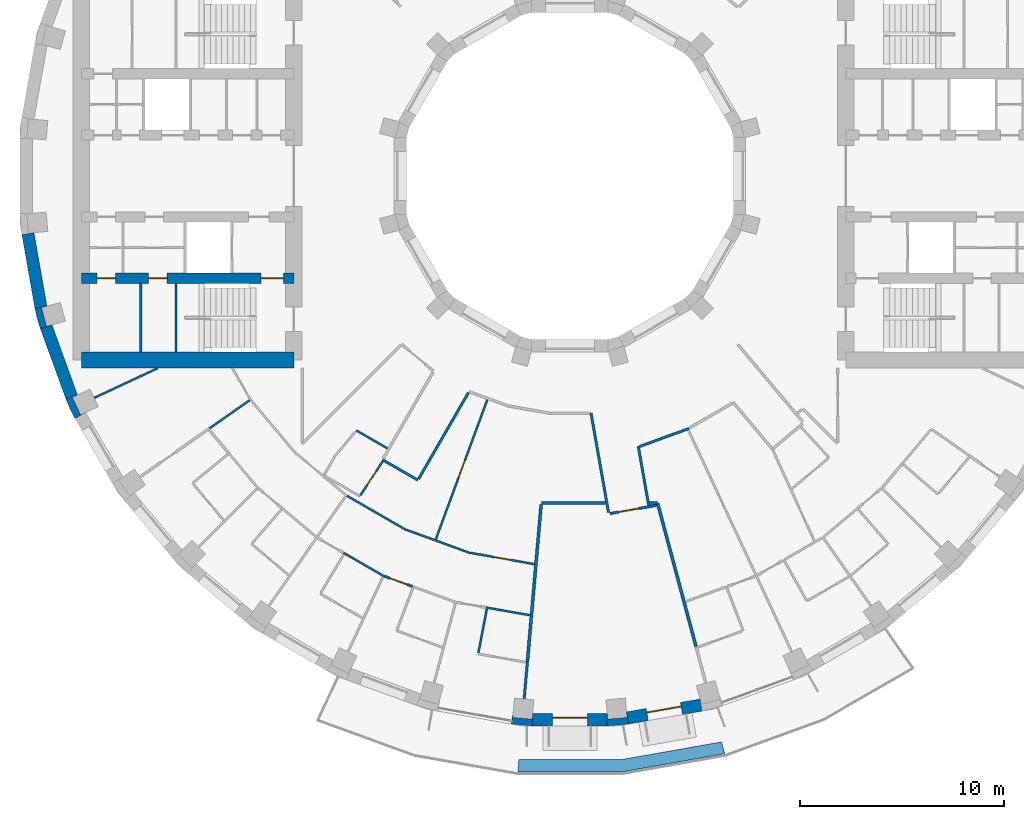
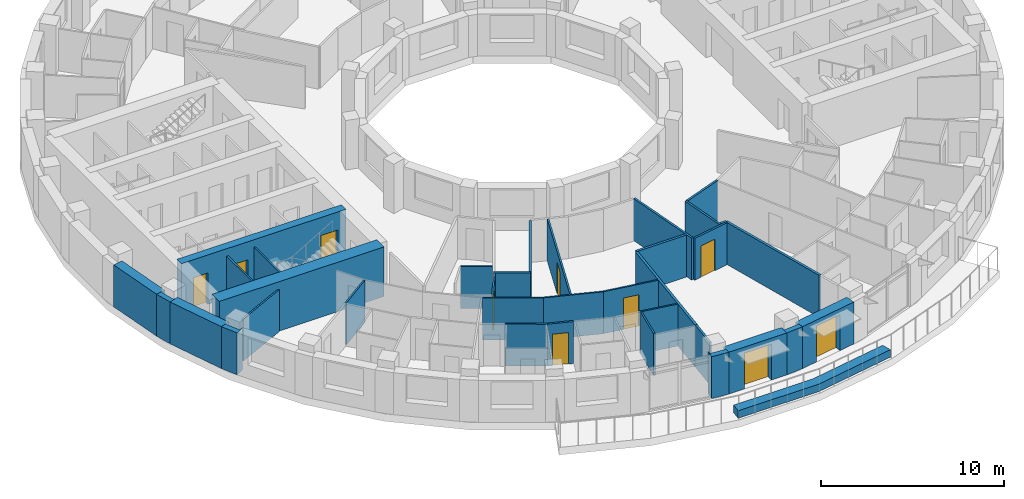
# One storey, part 6 of 16: 36 walls, 10 doors, 10 openings.
"""IFC4 building model written with IfcOpenShell, lengths in metres."""

import ifcopenshell
import ifcopenshell.guid

model = None  # the IFC model being written
_history = None  # IfcOwnerHistory: only IFC2X3 demands one
_inside = {}  # id of a spatial element -> (the spatial element, [elements in it])
_under = {}  # id of a project, library or spatial element -> (it, [spatial elements below it])
_declared = {}  # id of a project -> (the project, [libraries it declares])
_typed = {}  # id of a type object -> (the type object, [elements of that type])
_made_of = {}  # id of a material, layer set ... -> (it, [elements and type objects made of it])


def new_model(schema):
    """Start an empty IFC model of exactly this schema.

    Asked for "IFC4X3", IfcOpenShell would pick the latest addendum, in which some entities
    have other attributes; the version numbers below select the first issue.
    IFC2X3 requires an IfcOwnerHistory on every rooted entity: one is made here for all.
    """
    global model, _history
    if schema == "IFC4X3":
        model = ifcopenshell.file(schema_version=(4, 3, 0, 0))
    else:
        model = ifcopenshell.file(schema=schema)
    _inside.clear()
    _under.clear()
    _declared.clear()
    _typed.clear()
    _made_of.clear()
    _history = None
    if model.schema == "IFC2X3":
        org = make("IfcOrganization", Name="unknown")
        user = make(
            "IfcPersonAndOrganization",
            ThePerson=make("IfcPerson", FamilyName="unknown"),
            TheOrganization=org,
        )
        app = make(
            "IfcApplication",
            ApplicationDeveloper=org,
            Version="unknown",
            ApplicationFullName="unknown",
            ApplicationIdentifier="unknown",
        )
        _history = make(
            "IfcOwnerHistory",
            OwningUser=user,
            OwningApplication=app,
            ChangeAction="ADDED",
            CreationDate=0,
        )
    return model


def make(cls, **values):
    """One entity of the class cls with the attributes given. An attribute that is None is left unset."""
    return model.create_entity(
        cls, **{name: value for name, value in values.items() if value is not None}
    )


def rooted(cls, **values):
    """An entity with a GlobalId (a new one), such as an element, a storey or a relation."""
    return make(cls, GlobalId=ifcopenshell.guid.new(), OwnerHistory=_history, **values)


def si_unit(unit_type, name, prefix=None):
    """IfcSIUnit, for example si_unit("LENGTHUNIT", "METRE", prefix="MILLI")."""
    return make("IfcSIUnit", UnitType=unit_type, Prefix=prefix, Name=name)


def assignment(units):
    """IfcUnitAssignment: the units of a project."""
    return None if units is None else make("IfcUnitAssignment", Units=units)


def point(xyz):
    """IfcCartesianPoint."""
    return None if xyz is None else make("IfcCartesianPoint", Coordinates=xyz)


def direction(xyz):
    """IfcDirection."""
    return None if xyz is None else make("IfcDirection", DirectionRatios=xyz)


def frame(location, z_axis=None, x_axis=None):
    """IfcAxis2Placement3D, a coordinate frame: its origin and axes. An axis left out is left unset."""
    return make(
        "IfcAxis2Placement3D",
        Location=point(location),
        Axis=direction(z_axis),
        RefDirection=direction(x_axis),
    )


def frame_2d(location, x_axis=None):
    """IfcAxis2Placement2D, a coordinate frame in the plane: its origin and x axis."""
    return make(
        "IfcAxis2Placement2D", Location=point(location), RefDirection=direction(x_axis)
    )


def origin():
    """The frame at (0, 0, 0) with its axes left unset."""
    return frame((0.0, 0.0, 0.0))


def place(relative_to, where):
    """IfcLocalPlacement: puts the frame where relative to a parent placement (None: the world)."""
    return make(
        "IfcLocalPlacement", PlacementRelTo=relative_to, RelativePlacement=where
    )


def context(
    kind, dimensions, precision=None, world=None, true_north=None, identifier=None
):
    """IfcGeometricRepresentationContext, for example the 3D "Model" context."""
    return make(
        "IfcGeometricRepresentationContext",
        ContextIdentifier=identifier,
        ContextType=kind,
        CoordinateSpaceDimension=dimensions,
        Precision=precision,
        WorldCoordinateSystem=world,
        TrueNorth=true_north,
    )


def subcontext(parent, identifier, kind, view, scale=None):
    """IfcGeometricRepresentationSubContext, for example "Body" below "Model"."""
    return make(
        "IfcGeometricRepresentationSubContext",
        ContextIdentifier=identifier,
        ContextType=kind,
        ParentContext=parent,
        TargetScale=scale,
        TargetView=view,
    )


def project(units=None, contexts=None):
    """IfcProject with its units and contexts."""
    return rooted(
        "IfcProject",
        Name="project",
        RepresentationContexts=contexts,
        UnitsInContext=assignment(units),
    )


def spatial(cls, under=None, at=None, **own):
    """A site, building, storey or space (cls), placed at a placement, below another one or the project."""
    s = rooted(cls, ObjectPlacement=at, **own)
    if under is not None:
        _under.setdefault(under.id(), (under, []))[1].append(s)
    return s


def polyline(points):
    """IfcPolyline through the points."""
    return make("IfcPolyline", Points=[point(p) for p in points])


def profile(cls, at=None, kind="AREA", **sizes):
    """A parametric profile (cls). Its sizes go by their IFC names, for example OverallWidth=200.0."""
    return make(cls, ProfileType=kind, Position=at, **sizes)


def rectangle(**sizes):
    """IfcRectangleProfileDef."""
    return profile("IfcRectangleProfileDef", **sizes)


def outline(outer, holes=None, kind="AREA"):
    """IfcArbitraryClosedProfileDef: a profile drawn as a closed curve; with holes, ...WithVoids."""
    if holes is None:
        return make("IfcArbitraryClosedProfileDef", ProfileType=kind, OuterCurve=outer)
    return make(
        "IfcArbitraryProfileDefWithVoids",
        ProfileType=kind,
        OuterCurve=outer,
        InnerCurves=holes,
    )


def extrude(swept, where, along, depth):
    """IfcExtrudedAreaSolid: the profile swept, set in the frame where, extruded along a direction by depth."""
    return make(
        "IfcExtrudedAreaSolid",
        SweptArea=swept,
        Position=where,
        ExtrudedDirection=direction(along),
        Depth=depth,
    )


def shape(context_of_items, identifier, shape_type, items):
    """IfcShapeRepresentation: the items that make up one representation, for example the "Body"."""
    return make(
        "IfcShapeRepresentation",
        ContextOfItems=context_of_items,
        RepresentationIdentifier=identifier,
        RepresentationType=shape_type,
        Items=items,
    )


def material(Name=None, Category=None):
    """IfcMaterial."""
    return make("IfcMaterial", Name=Name, Category=Category)


def layer(
    of_material, thickness, ventilated=None, Name=None, Category=None, Priority=None
):
    """IfcMaterialLayer: one layer of a wall or slab, of a material (None: an air gap)."""
    return make(
        "IfcMaterialLayer",
        Material=of_material,
        LayerThickness=thickness,
        IsVentilated=ventilated,
        Name=Name,
        Category=Category,
        Priority=Priority,
    )


def layer_set(layers, Name=None):
    """IfcMaterialLayerSet."""
    return make("IfcMaterialLayerSet", MaterialLayers=layers, LayerSetName=Name)


def made_of(thing, what):
    """Note that an element or type object is made of a material, layer set ...; save() writes the relation."""
    if what is not None:
        _made_of.setdefault(what.id(), (what, []))[1].append(thing)
    return thing


def type_object(cls, material=None, **own):
    """A type object (cls), such as IfcWallType, which elements share."""
    return made_of(rooted(cls, **own), material)


def element(
    cls,
    number,
    at=None,
    inside=None,
    cuts=None,
    type_object=None,
    material=None,
    context=None,
    identifier="Body",
    shape_type=None,
    held_by="IfcProductDefinitionShape",
    body=None,
    shapes=None,
    **own,
):
    """One element of the class cls, such as IfcWall. Its Tag is "e" and its number.

    at: its placement. inside: the storey or other place that contains it. cuts: it is an
    opening in that element (IfcRelVoidsElement). A single representation is given by context,
    identifier, shape_type and body (its items); several are given by shapes. held_by: the class
    of the entity that holds the representations. save() writes the other relations.
    """
    e = rooted(cls, Tag="e%d" % number, ObjectPlacement=at, **own)
    if body is not None:
        shapes = [shape(context, identifier, shape_type, body)]
    if shapes is not None:
        e.Representation = make(held_by, Representations=shapes)
    if inside is not None:
        _inside.setdefault(inside.id(), (inside, []))[1].append(e)
    if cuts is not None:
        rooted(
            "IfcRelVoidsElement", RelatingBuildingElement=cuts, RelatedOpeningElement=e
        )
    if type_object is not None:
        _typed.setdefault(type_object.id(), (type_object, []))[1].append(e)
    return made_of(e, material)


def fill(opening, filler):
    """IfcRelFillsElement: the door or window that sits in an opening."""
    return rooted(
        "IfcRelFillsElement",
        RelatingOpeningElement=opening,
        RelatedBuildingElement=filler,
    )


def aggregate(whole, parts):
    """IfcRelAggregates: a whole, such as a stair, and the parts it consists of."""
    return rooted("IfcRelAggregates", RelatingObject=whole, RelatedObjects=parts)


def save(model, path):
    """Write the relations noted so far, then the file.

    IfcRelAggregates (storeys below a building ...), IfcRelContainedInSpatialStructure (elements
    in a storey), IfcRelDefinesByType, IfcRelAssociatesMaterial and IfcRelDeclares: one each for
    every whole, place, type object, material and project.
    """
    for whole, parts in _under.values():
        aggregate(whole, parts)
    for where, things in _inside.values():
        rooted(
            "IfcRelContainedInSpatialStructure",
            RelatedElements=things,
            RelatingStructure=where,
        )
    for kind, things in _typed.values():
        rooted("IfcRelDefinesByType", RelatedObjects=things, RelatingType=kind)
    for what, things in _made_of.values():
        rooted("IfcRelAssociatesMaterial", RelatedObjects=things, RelatingMaterial=what)
    for by, libraries in _declared.values():
        rooted("IfcRelDeclares", RelatingContext=by, RelatedDefinitions=libraries)
    model.write(path)


model = new_model("IFC4")

# Units and contexts
model_context = context("Model", 3, precision=1e-05, world=origin(), true_north=direction((0.0, 1.0)))
body_context = subcontext(model_context, "Body", "Model", "MODEL_VIEW")
ifc_project = project(units=[si_unit("LENGTHUNIT", "METRE"), si_unit("AREAUNIT", "SQUARE_METRE"), si_unit("VOLUMEUNIT", "CUBIC_METRE"), si_unit("PLANEANGLEUNIT", "RADIAN"), si_unit("MASSUNIT", "GRAM", prefix="KILO")], contexts=[model_context])

# Site, building, storey
site_placement = place(None, origin())
site = spatial("IfcSite", under=ifc_project, at=site_placement, CompositionType="ELEMENT")
building_placement = place(site_placement, origin())
building = spatial("IfcBuilding", under=site, at=building_placement, Name="Saqina Gate Tower", CompositionType="ELEMENT")
storey_placement = place(building_placement, frame((0.0, 0.0, 144.699951171875)))
storey = spatial("IfcBuildingStorey", under=building, at=storey_placement, Name="L41", CompositionType="ELEMENT", Elevation=144.699951171875)

# Walls
ifc_material_1 = material(Name="Brick masonry (buff)", Category="masonry")
wall_type_1 = type_object("IfcWallType", Name="BRICK PIER COPING BUFF", PredefinedType="SOLIDWALL", material=ifc_material_1)
wall_1_placement = place(storey_placement, origin())
element("IfcWall", 1, at=wall_1_placement, inside=storey, type_object=wall_type_1, Name="Pier cap L41 column 20", PredefinedType="SOLIDWALL", context=body_context, shape_type="SweptSolid", body=[
    extrude(outline(polyline([(-26.171875, -6.466796875), (-25.89892578125, -7.485595703125), (-25.335205078125, -7.2802734375), (-25.5947265625, -7.349853515625), (-25.8408203125, -6.43212890625), (-25.5810546875, -6.36279296875), (-26.171875, -6.466796875)])), origin(), (0.0, 0.0, 1.0), 2.800048828125),
])
wall_2_placement = place(storey_placement, origin())
element("IfcWall", 2, at=wall_2_placement, inside=storey, type_object=wall_type_1, Name="Pier cap L41 column 21", PredefinedType="SOLIDWALL", context=body_context, shape_type="SweptSolid", body=[
    extrude(outline(polyline([(-24.6513671875, -10.913330078125), (-24.205810546875, -11.869140625), (-23.68603515625, -11.569091796875), (-23.9296875, -11.6826171875), (-24.331298828125, -10.82177734375), (-24.08740234375, -10.7080078125), (-24.6513671875, -10.913330078125)])), origin(), (0.0, 0.0, 1.0), 2.800048828125),
])
wall_3_placement = place(storey_placement, origin())
element("IfcWall", 3, at=wall_3_placement, inside=storey, type_object=wall_type_1, Name="Pier cap L41 column 27", PredefinedType="SOLIDWALL", context=body_context, shape_type="SweptSolid", body=[
    extrude(outline(polyline([(-2.87451171875, -26.805419921875), (-1.823974609375, -26.897216796875), (-1.823974609375, -26.29736328125), (-1.847412109375, -26.565185546875), (-2.793701171875, -26.482421875), (-2.770263671875, -26.214599609375), (-2.87451171875, -26.805419921875)])), origin(), (0.0, 0.0, 1.0), 2.800048828125),
])
wall_4_placement = place(storey_placement, origin())
element("IfcWall", 4, at=wall_4_placement, inside=storey, type_object=wall_type_1, Name="Pier cap L41 column 28", PredefinedType="SOLIDWALL", context=body_context, shape_type="SweptSolid", body=[
    extrude(outline(polyline([(2.87451171875, -26.805419921875), (2.770263671875, -26.214599609375), (2.793701171875, -26.482421875), (1.847412109375, -26.565185546875), (1.823974609375, -26.29736328125), (1.823974609375, -26.897216796875), (2.87451171875, -26.805419921875)])), origin(), (0.0, 0.0, 1.0), 2.800048828125),
])
ifc_material_2 = material(Name="Gypsum board on steel studs", Category="steel")
ifc_layer_1 = layer(ifc_material_2, 0.10009765625)
ifc_layer_set_1 = layer_set([ifc_layer_1], Name="CORE PARTITION")
wall_type_2 = type_object("IfcWallType", Name="CORE PARTITION", PredefinedType="PARTITIONING", material=ifc_layer_set_1)
wall_5_placement = place(storey_placement, frame((-20.991943359375, -8.60009765625, 0.0), z_axis=(0.0, 0.0, 1.0), x_axis=(0.0, 1.0, 0.0)))
element("IfcWall", 5, at=wall_5_placement, inside=storey, type_object=wall_type_2, Name="L41-CP-W16", PredefinedType="PARTITIONING", context=body_context, shape_type="SweptSolid", body=[
    extrude(rectangle(XDim=3.35009765625, YDim=0.10009765625, at=frame_2d((1.675048828125, 0.0))), origin(), (0.0, 0.0, 1.0), 2.800048828125),
])

# Wall, opening, door
ifc_material_3 = material(Name="Brick masonry (buff)", Category="masonry")
ifc_layer_2 = layer(ifc_material_3, 0.60009765625)
ifc_layer_set_2 = layer_set([ifc_layer_2], Name="FW-BRICK-BUFF")
wall_type_3 = type_object("IfcWallType", Name="FW-BRICK-BUFF", PredefinedType="SOLIDWALL", material=ifc_layer_set_2)
wall_6_placement = place(storey_placement, frame((-1.823974609375, -26.59716796875, 0.0), z_axis=(0.0, 0.0, 1.0), x_axis=(1.0, 0.0, 0.0)))
wall_6 = element("IfcWall", 6, at=wall_6_placement, inside=storey, type_object=wall_type_3, Name="Facade wall L41 facet 27", PredefinedType="SOLIDWALL", context=body_context, shape_type="SweptSolid", body=[
    extrude(rectangle(XDim=3.64794921875, YDim=0.60009765625, at=frame_2d((1.823974609375, 0.0))), origin(), (0.0, 0.0, 1.0), 2.800048828125),
])
opening_1_placement = place(wall_6_placement, frame((0.973876953125, 0.0, 0.0)))
opening_1 = element("IfcOpeningElement", 7, at=opening_1_placement, cuts=wall_6, Name="Opening G12-D80", PredefinedType="OPENING", context=body_context, shape_type="SweptSolid", body=[
    extrude(rectangle(XDim=1.699951171875, YDim=2.39990234375, at=frame_2d((0.85009765625, 1.199951171875))), frame((0.0, 0.31201171875, 0.0), z_axis=(0.0, -1.0, 0.0), x_axis=(1.0, 0.0, 0.0)), (0.0, 0.0, 1.0), 0.6240234375),
])
ifc_material_4 = material(Name="Aluminium glazing", Category="aluminium")
door_type_1 = type_object("IfcDoorType", Name="GD-B", OperationType="DOUBLE_DOOR_SINGLE_SWING", PredefinedType="DOOR", material=ifc_material_4)
door_1_placement = place(opening_1_placement, origin())
door_1 = element("IfcDoor", 8, at=door_1_placement, inside=storey, type_object=door_type_1, Name="Terrace door L41 facet 27", OperationType="DOUBLE_DOOR_SINGLE_SWING", OverallHeight=2.39990234375, OverallWidth=1.699951171875, PredefinedType="DOOR", context=body_context, shape_type="SweptSolid", body=[
    extrude(rectangle(XDim=1.699951171875, YDim=2.39990234375, at=frame_2d((0.85009765625, 1.199951171875))), frame((0.0, 0.125, 0.0), z_axis=(0.0, -1.0, 0.0), x_axis=(1.0, 0.0, 0.0)), (0.0, 0.0, 1.0), 0.050048828125),
])
fill(opening_1, door_1)

wall_7_placement = place(storey_placement, frame((2.822265625, -26.510009765625, 0.0), z_axis=(0.0, 0.0, 1.0), x_axis=(0.984803764455, 0.173670796382, 0.0)))
wall_7 = element("IfcWall", 9, at=wall_7_placement, inside=storey, type_object=wall_type_3, Name="Facade wall L41 facet 28", PredefinedType="SOLIDWALL", context=body_context, shape_type="SweptSolid", body=[
    extrude(rectangle(XDim=3.64794921875, YDim=0.60009765625, at=frame_2d((1.823974609375, 0.0))), origin(), (0.0, 0.0, 1.0), 2.800048828125),
])
opening_2_placement = place(wall_7_placement, frame((0.973876953125, 0.0, 0.0)))
opening_2 = element("IfcOpeningElement", 10, at=opening_2_placement, cuts=wall_7, Name="Opening G12-D81", PredefinedType="OPENING", context=body_context, shape_type="SweptSolid", body=[
    extrude(rectangle(XDim=1.699951171875, YDim=2.39990234375, at=frame_2d((0.85009765625, 1.199951171875))), frame((0.0, 0.31201171875, 0.0), z_axis=(0.0, -1.0, 0.0), x_axis=(1.0, 0.0, 0.0)), (0.0, 0.0, 1.0), 0.6240234375),
])
door_2_placement = place(opening_2_placement, origin())
door_2 = element("IfcDoor", 11, at=door_2_placement, inside=storey, type_object=door_type_1, Name="Terrace door L41 facet 28", OperationType="DOUBLE_DOOR_SINGLE_SWING", OverallHeight=2.39990234375, OverallWidth=1.699951171875, PredefinedType="DOOR", context=body_context, shape_type="SweptSolid", body=[
    extrude(rectangle(XDim=1.699951171875, YDim=2.39990234375, at=frame_2d((0.85009765625, 1.199951171875))), frame((0.0, 0.125, 0.0), z_axis=(0.0, -1.0, 0.0), x_axis=(1.0, 0.0, 0.0)), (0.0, 0.0, 1.0), 0.050048828125),
])
fill(opening_2, door_2)

# Walls
ifc_material_5 = material(Name="Glazed ceramic tile", Category="ceramic")
ifc_layer_3 = layer(ifc_material_5, 0.60009765625)
ifc_layer_set_3 = layer_set([ifc_layer_3], Name="FW-TILE")
wall_type_4 = type_object("IfcWallType", Name="FW-TILE", PredefinedType="SOLIDWALL", material=ifc_layer_set_3)
wall_8_placement = place(storey_placement, frame((-25.616943359375, -7.3828125, 0.0), z_axis=(0.0, 0.0, 1.0), x_axis=(0.341990236633, -0.939703505393, 0.0)))
element("IfcWall", 12, at=wall_8_placement, inside=storey, type_object=wall_type_4, Name="Facade wall L41 facet 20", PredefinedType="SOLIDWALL", context=body_context, shape_type="SweptSolid", body=[
    extrude(rectangle(XDim=3.64794921875, YDim=0.60009765625, at=frame_2d((1.823974609375, 0.0))), origin(), (0.0, 0.0, 1.0), 2.800048828125),
])
ifc_material_6 = material(Name="Glazed ceramic tile (white)", Category="ceramic")
ifc_layer_4 = layer(ifc_material_6, 0.60009765625)
ifc_layer_set_4 = layer_set([ifc_layer_4], Name="FW-TILE-WH")
wall_type_5 = type_object("IfcWallType", Name="FW-TILE-WH", PredefinedType="SOLIDWALL", material=ifc_layer_set_4)
wall_9_placement = place(storey_placement, frame((-26.510009765625, -2.822265625, 0.0), z_axis=(0.0, 0.0, 1.0), x_axis=(0.173670796382, -0.984803764455, 0.0)))
element("IfcWall", 13, at=wall_9_placement, inside=storey, type_object=wall_type_5, Name="Facade wall L41 facet 19", PredefinedType="SOLIDWALL", context=body_context, shape_type="SweptSolid", body=[
    extrude(rectangle(XDim=3.64794921875, YDim=0.60009765625, at=frame_2d((1.823974609375, 0.0))), origin(), (0.0, 0.0, 1.0), 2.800048828125),
])
ifc_material_7 = material(Name="Gypsum board on steel studs, 100 mm", Category="steel")
ifc_layer_5 = layer(ifc_material_7, 0.10009765625)
ifc_layer_set_5 = layer_set([ifc_layer_5], Name="PARTITION 100")
wall_type_6 = type_object("IfcWallType", Name="PARTITION 100", PredefinedType="PARTITIONING", material=ifc_layer_set_5)
wall_10_placement = place(storey_placement, frame((-11.072021484375, -18.4296875, 0.0), z_axis=(0.0, 0.0, 1.0), x_axis=(0.865486689549, -0.500931921735, 0.0)))
element("IfcWall", 14, at=wall_10_placement, inside=storey, type_object=wall_type_6, Name="PARTITION PW3-36", PredefinedType="PARTITIONING", context=body_context, shape_type="SweptSolid", body=[
    extrude(rectangle(XDim=2.3056640625, YDim=0.10009765625, at=frame_2d((1.15283203125, 0.0))), origin(), (0.0, 0.0, 1.0), 2.800048828125),
])
wall_11_placement = place(storey_placement, frame((-10.895751953125, -15.64697265625, 0.0), z_axis=(0.0, 0.0, 1.0), x_axis=(0.866052313871, -0.499953387465, 0.0)))
element("IfcWall", 15, at=wall_11_placement, inside=storey, type_object=wall_type_6, Name="PARTITION PW3-38", PredefinedType="PARTITIONING", context=body_context, shape_type="SweptSolid", body=[
    extrude(rectangle(XDim=3.324951171875, YDim=0.10009765625, at=frame_2d((1.66259765625, 0.0))), origin(), (0.0, 0.0, 1.0), 2.800048828125),
])
wall_12_placement = place(storey_placement, frame((-10.443115234375, -12.446044921875, 0.0), z_axis=(0.0, 0.0, 1.0), x_axis=(0.866176339187, -0.499738481041, 0.0)))
element("IfcWall", 16, at=wall_12_placement, inside=storey, type_object=wall_type_6, Name="PARTITION PW3-40", PredefinedType="PARTITIONING", context=body_context, shape_type="SweptSolid", body=[
    extrude(rectangle(XDim=1.75830078125, YDim=0.10009765625, at=frame_2d((0.879150390625, 0.0))), origin(), (0.0, 0.0, 1.0), 2.800048828125),
])
wall_13_placement = place(storey_placement, frame((-8.012939453125, -17.301025390625, 0.0), z_axis=(0.0, 0.0, 1.0), x_axis=(0.939703357515, -0.341990642965, 0.0)))
element("IfcWall", 17, at=wall_13_placement, inside=storey, type_object=wall_type_6, Name="PARTITION PW3-49", PredefinedType="PARTITIONING", context=body_context, shape_type="SweptSolid", body=[
    extrude(rectangle(XDim=3.3251953125, YDim=0.10009765625, at=frame_2d((1.66259765625, 0.0))), origin(), (0.0, 0.0, 1.0), 2.800048828125),
])
wall_14_placement = place(storey_placement, frame((-4.101318359375, -21.105224609375, 0.0), z_axis=(0.0, 0.0, 1.0), x_axis=(0.984793705714, -0.173727825019, 0.0)))
element("IfcWall", 18, at=wall_14_placement, inside=storey, type_object=wall_type_6, Name="PARTITION PW3-54", PredefinedType="PARTITIONING", context=body_context, shape_type="SweptSolid", body=[
    extrude(rectangle(XDim=2.1796875, YDim=0.10009765625, at=frame_2d((1.08984375, 0.0))), origin(), (0.0, 0.0, 1.0), 2.800048828125),
])

# Wall, opening, door
wall_15_placement = place(storey_placement, frame((-4.88671875, -18.4296875, 0.0), z_axis=(0.0, 0.0, 1.0), x_axis=(0.984827318257, -0.173537181071, 0.0)))
wall_15 = element("IfcWall", 19, at=wall_15_placement, inside=storey, type_object=wall_type_6, Name="PARTITION PW3-55", PredefinedType="PARTITIONING", context=body_context, shape_type="SweptSolid", body=[
    extrude(rectangle(XDim=3.19921875, YDim=0.10009765625, at=frame_2d((1.599609375, 0.0))), origin(), (0.0, 0.0, 1.0), 2.800048828125),
])
opening_3_placement = place(wall_15_placement, frame((1.162109375, 0.0, 0.0)))
opening_3 = element("IfcOpeningElement", 20, at=opening_3_placement, cuts=wall_15, Name="Opening G12-D46", PredefinedType="OPENING", context=body_context, shape_type="SweptSolid", body=[
    extrude(rectangle(XDim=0.89990234375, YDim=2.10009765625, at=frame_2d((0.449951171875, 1.050048828125))), frame((0.0, 0.06201171875, 0.0), z_axis=(0.0, -1.0, 0.0), x_axis=(1.0, 0.0, 0.0)), (0.0, 0.0, 1.0), 0.1240234375),
])
ifc_material_8 = material(Name="Timber door leaf, 900 mm", Category="wood")
door_type_2 = type_object("IfcDoorType", Name="DOOR 900 TIMBER", OperationType="SINGLE_SWING_LEFT", PredefinedType="DOOR", material=ifc_material_8)
door_3_placement = place(opening_3_placement, origin())
door_3 = element("IfcDoor", 21, at=door_3_placement, inside=storey, type_object=door_type_2, Name="DOOR G12-D46", OperationType="SINGLE_SWING_RIGHT", OverallHeight=2.10009765625, OverallWidth=0.89990234375, PredefinedType="DOOR", context=body_context, shape_type="SweptSolid", body=[
    extrude(rectangle(XDim=0.89990234375, YDim=2.10009765625, at=frame_2d((0.449951171875, 1.050048828125))), frame((0.0, 0.02490234375, 0.0), z_axis=(0.0, -1.0, 0.0), x_axis=(1.0, 0.0, 0.0)), (0.0, 0.0, 1.0), 0.050048828125),
])
fill(opening_3, door_3)

# Walls
wall_16_placement = place(storey_placement, frame((-23.260009765625, -10.847412109375, 0.0), z_axis=(0.0, 0.0, 1.0), x_axis=(0.906042683175, 0.423186313892, 0.0)))
element("IfcWall", 22, at=wall_16_placement, inside=storey, type_object=wall_type_6, Name="PARTITION PW3-72", PredefinedType="PARTITIONING", context=body_context, shape_type="SweptSolid", body=[
    extrude(rectangle(XDim=3.42041015625, YDim=0.10009765625, at=frame_2d((1.710205078125, 0.0))), origin(), (0.0, 0.0, 1.0), 2.800048828125),
])
wall_17_placement = place(storey_placement, frame((-17.62548828125, -12.341552734375, 0.0), z_axis=(0.0, 0.0, 1.0), x_axis=(0.819246283273, 0.573441825597, 0.0)))
element("IfcWall", 23, at=wall_17_placement, inside=storey, type_object=wall_type_6, Name="PARTITION PW3-77", PredefinedType="PARTITIONING", context=body_context, shape_type="SweptSolid", body=[
    extrude(rectangle(XDim=2.395751953125, YDim=0.10009765625, at=frame_2d((1.19775390625, 0.0))), origin(), (0.0, 0.0, 1.0), 2.800048828125),
])

# Wall, opening, door
wall_18_placement = place(storey_placement, frame((-10.24560546875, -15.6162109375, 0.0), z_axis=(0.0, 0.0, 1.0), x_axis=(0.548583914552, 0.836095502138, 0.0)))
wall_18 = element("IfcWall", 24, at=wall_18_placement, inside=storey, type_object=wall_type_6, Name="PARTITION PW3-99", PredefinedType="PARTITIONING", context=body_context, shape_type="SweptSolid", body=[
    extrude(rectangle(XDim=1.9853515625, YDim=0.10009765625, at=frame_2d((0.99267578125, 0.0))), origin(), (0.0, 0.0, 1.0), 2.800048828125),
])
opening_4_placement = place(wall_18_placement, frame((0.5986328125, 0.0, 0.0)))
opening_4 = element("IfcOpeningElement", 25, at=opening_4_placement, cuts=wall_18, Name="Opening G12-D39", PredefinedType="OPENING", context=body_context, shape_type="SweptSolid", body=[
    extrude(rectangle(XDim=0.800048828125, YDim=2.10009765625, at=frame_2d((0.39990234375, 1.050048828125))), frame((0.0, 0.06201171875, 0.0), z_axis=(0.0, -1.0, 0.0), x_axis=(1.0, 0.0, 0.0)), (0.0, 0.0, 1.0), 0.1240234375),
])
ifc_material_9 = material(Name="Timber door leaf, 800 mm", Category="wood")
door_type_3 = type_object("IfcDoorType", Name="DOOR 800 TIMBER", OperationType="SINGLE_SWING_LEFT", PredefinedType="DOOR", material=ifc_material_9)
door_4_placement = place(opening_4_placement, frame((0.800048828125, 0.0, 0.0), z_axis=(0.0, 0.0, 1.0), x_axis=(-1.0, 0.0, 0.0)))
door_4 = element("IfcDoor", 26, at=door_4_placement, inside=storey, type_object=door_type_3, Name="DOOR G12-D39", OperationType="SINGLE_SWING_LEFT", OverallHeight=2.10009765625, OverallWidth=0.800048828125, PredefinedType="DOOR", context=body_context, shape_type="SweptSolid", body=[
    extrude(rectangle(XDim=0.800048828125, YDim=2.10009765625, at=frame_2d((0.39990234375, 1.050048828125))), frame((0.0, 0.02490234375, 0.0), z_axis=(0.0, -1.0, 0.0), x_axis=(1.0, 0.0, 0.0)), (0.0, 0.0, 1.0), 0.050048828125),
])
fill(opening_4, door_4)

wall_19_placement = place(storey_placement, frame((-6.561767578125, -17.776123046875, 0.0), z_axis=(0.0, 0.0, 1.0), x_axis=(0.346197589544, 0.938161622, 0.0)))
wall_19 = element("IfcWall", 27, at=wall_19_placement, inside=storey, type_object=wall_type_6, Name="PARTITION PW3-109", PredefinedType="PARTITIONING", context=body_context, shape_type="SweptSolid", body=[
    extrude(rectangle(XDim=7.285400390625, YDim=0.10009765625, at=frame_2d((3.642578125, 0.0))), origin(), (0.0, 0.0, 1.0), 2.800048828125),
])
opening_5_placement = place(wall_19_placement, frame((3.2001953125, 0.0, 0.0)))
opening_5 = element("IfcOpeningElement", 28, at=opening_5_placement, cuts=wall_19, Name="Opening G12-D43", PredefinedType="OPENING", context=body_context, shape_type="SweptSolid", body=[
    extrude(rectangle(XDim=0.89990234375, YDim=2.10009765625, at=frame_2d((0.449951171875, 1.050048828125))), frame((0.0, 0.06201171875, 0.0), z_axis=(0.0, -1.0, 0.0), x_axis=(1.0, 0.0, 0.0)), (0.0, 0.0, 1.0), 0.1240234375),
])
door_5_placement = place(opening_5_placement, frame((0.89990234375, 0.0, 0.0), z_axis=(0.0, 0.0, 1.0), x_axis=(-1.0, 0.0, 0.0)))
door_5 = element("IfcDoor", 29, at=door_5_placement, inside=storey, type_object=door_type_2, Name="DOOR G12-D43", OperationType="SINGLE_SWING_LEFT", OverallHeight=2.10009765625, OverallWidth=0.89990234375, PredefinedType="DOOR", context=body_context, shape_type="SweptSolid", body=[
    extrude(rectangle(XDim=0.89990234375, YDim=2.10009765625, at=frame_2d((0.449951171875, 1.050048828125))), frame((0.0, 0.02490234375, 0.0), z_axis=(0.0, -1.0, 0.0), x_axis=(1.0, 0.0, 0.0)), (0.0, 0.0, 1.0), 0.050048828125),
])
fill(opening_5, door_5)

# Walls
wall_20_placement = place(storey_placement, frame((-4.4765625, -23.323974609375, 0.0), z_axis=(0.0, 0.0, 1.0), x_axis=(0.188685986474, 0.982037473067, 0.0)))
element("IfcWall", 30, at=wall_20_placement, inside=storey, type_object=wall_type_6, Name="PARTITION PW3-115", PredefinedType="PARTITIONING", context=body_context, shape_type="SweptSolid", body=[
    extrude(rectangle(XDim=2.18798828125, YDim=0.10009765625, at=frame_2d((1.093994140625, 0.0))), origin(), (0.0, 0.0, 1.0), 2.800048828125),
])
ifc_material_10 = material(Name="Gypsum board on steel studs, 125 mm, fire rated", Category="steel")
ifc_layer_6 = layer(ifc_material_10, 0.125)
ifc_layer_set_6 = layer_set([ifc_layer_6], Name="PARTITION EI 30 125")
wall_type_7 = type_object("IfcWallType", Name="PARTITION EI 30 125", PredefinedType="PARTITIONING", material=ifc_layer_set_6)
wall_21_placement = place(storey_placement, frame((1.031982421875, -11.596923828125, 0.0), z_axis=(0.0, 0.0, 1.0), x_axis=(0.173613257536, -0.984813909735, 0.0)))
element("IfcWall", 31, at=wall_21_placement, inside=storey, type_object=wall_type_7, Name="PARTITION PW1-01", PredefinedType="PARTITIONING", context=body_context, shape_type="SweptSolid", body=[
    extrude(rectangle(XDim=4.937255859375, YDim=0.125, at=frame_2d((2.46875, 0.0))), origin(), (0.0, 0.0, 1.0), 2.800048828125),
])
wall_22_placement = place(storey_placement, frame((3.34375, -13.219970703125, 0.0), z_axis=(0.0, 0.0, 1.0), x_axis=(0.173704731119, -0.984797779438, 0.0)))
element("IfcWall", 32, at=wall_22_placement, inside=storey, type_object=wall_type_7, Name="PARTITION PW1-02", PredefinedType="PARTITIONING", context=body_context, shape_type="SweptSolid", body=[
    extrude(rectangle(XDim=2.9375, YDim=0.125, at=frame_2d((1.46875, 0.0))), origin(), (0.0, 0.0, 1.0), 2.800048828125),
])
wall_23_placement = place(storey_placement, frame((-9.166015625, -13.8759765625, 0.0), z_axis=(0.0, 0.0, 1.0), x_axis=(0.866008543052, -0.500029202507, 0.0)))
element("IfcWall", 33, at=wall_23_placement, inside=storey, type_object=wall_type_7, Name="PARTITION PW1-18", PredefinedType="PARTITIONING", context=body_context, shape_type="SweptSolid", body=[
    extrude(rectangle(XDim=1.998046875, YDim=0.125, at=frame_2d((0.9990234375, 0.0))), origin(), (0.0, 0.0, 1.0), 2.800048828125),
])

# Wall, opening, door
wall_24_placement = place(storey_placement, frame((-9.072998046875, -19.5751953125, 0.0), z_axis=(0.0, 0.0, 1.0), x_axis=(0.939788529673, -0.341756520778, 0.0)))
wall_24 = element("IfcWall", 34, at=wall_24_placement, inside=storey, type_object=wall_type_7, Name="PARTITION PW1-21", PredefinedType="PARTITIONING", context=body_context, shape_type="SweptSolid", body=[
    extrude(rectangle(XDim=1.45654296875, YDim=0.125, at=frame_2d((0.728271484375, 0.0))), origin(), (0.0, 0.0, 1.0), 2.800048828125),
])
opening_6_placement = place(wall_24_placement, frame((0.2783203125, 0.0, 0.0)))
opening_6 = element("IfcOpeningElement", 35, at=opening_6_placement, cuts=wall_24, Name="Opening G12-D42", PredefinedType="OPENING", context=body_context, shape_type="SweptSolid", body=[
    extrude(rectangle(XDim=0.89990234375, YDim=2.10009765625, at=frame_2d((0.449951171875, 1.050048828125))), frame((0.0, 0.074462890625, 0.0), z_axis=(0.0, -1.0, 0.0), x_axis=(1.0, 0.0, 0.0)), (0.0, 0.0, 1.0), 0.14892578125),
])
ifc_material_11 = material(Name="Fire door leaf EI 30, 900 mm")
door_type_4 = type_object("IfcDoorType", Name="DOOR 900 EI 30", OperationType="SINGLE_SWING_LEFT", PredefinedType="DOOR", material=ifc_material_11)
door_6_placement = place(opening_6_placement, origin())
door_6 = element("IfcDoor", 36, at=door_6_placement, inside=storey, type_object=door_type_4, Name="DOOR G12-D42", OperationType="SINGLE_SWING_LEFT", OverallHeight=2.10009765625, OverallWidth=0.89990234375, PredefinedType="DOOR", context=body_context, shape_type="SweptSolid", body=[
    extrude(rectangle(XDim=0.89990234375, YDim=2.10009765625, at=frame_2d((0.449951171875, 1.050048828125))), frame((0.0, 0.02490234375, 0.0), z_axis=(0.0, -1.0, 0.0), x_axis=(1.0, 0.0, 0.0)), (0.0, 0.0, 1.0), 0.050048828125),
])
fill(opening_6, door_6)

wall_25_placement = place(storey_placement, frame((1.95947265625, -16.51025390625, 0.0), z_axis=(0.0, 0.0, 1.0), x_axis=(0.984826011904, 0.173544594492, 0.0)))
wall_25 = element("IfcWall", 37, at=wall_25_placement, inside=storey, type_object=wall_type_7, Name="PARTITION PW1-31", PredefinedType="PARTITIONING", context=body_context, shape_type="SweptSolid", body=[
    extrude(rectangle(XDim=2.314208984375, YDim=0.125, at=frame_2d((1.1572265625, 0.0))), origin(), (0.0, 0.0, 1.0), 2.800048828125),
])
opening_7_placement = place(wall_25_placement, frame((0.437255859375, 0.0, 0.0)))
opening_7 = element("IfcOpeningElement", 38, at=opening_7_placement, cuts=wall_25, Name="Opening G12-D48", PredefinedType="OPENING", context=body_context, shape_type="SweptSolid", body=[
    extrude(rectangle(XDim=1.0, YDim=2.10009765625, at=frame_2d((0.5, 1.050048828125))), frame((0.0, 0.074462890625, 0.0), z_axis=(0.0, -1.0, 0.0), x_axis=(1.0, 0.0, 0.0)), (0.0, 0.0, 1.0), 0.14892578125),
])
ifc_material_12 = material(Name="Fire door leaf EI 30, 1000 mm")
door_type_5 = type_object("IfcDoorType", Name="DOOR 1000 EI 30", OperationType="SINGLE_SWING_LEFT", PredefinedType="DOOR", material=ifc_material_12)
door_7_placement = place(opening_7_placement, origin())
door_7 = element("IfcDoor", 39, at=door_7_placement, inside=storey, type_object=door_type_5, Name="DOOR G12-D48", OperationType="SINGLE_SWING_RIGHT", OverallHeight=2.10009765625, OverallWidth=1.0, PredefinedType="DOOR", context=body_context, shape_type="SweptSolid", body=[
    extrude(rectangle(XDim=1.0, YDim=2.10009765625, at=frame_2d((0.5, 1.050048828125))), frame((0.0, 0.02490234375, 0.0), z_axis=(0.0, -1.0, 0.0), x_axis=(1.0, 0.0, 0.0)), (0.0, 0.0, 1.0), 0.050048828125),
])
fill(opening_7, door_7)

# Walls
wall_26_placement = place(storey_placement, frame((3.4091796875, -13.230224609375, 0.0), z_axis=(0.0, 0.0, 1.0), x_axis=(0.939430059453, 0.34274066493, 0.0)))
element("IfcWall", 40, at=wall_26_placement, inside=storey, type_object=wall_type_7, Name="PARTITION PW1-35", PredefinedType="PARTITIONING", context=body_context, shape_type="SweptSolid", body=[
    extrude(rectangle(XDim=2.573486328125, YDim=0.125, at=frame_2d((1.28662109375, 0.0))), origin(), (0.0, 0.0, 1.0), 2.800048828125),
])
wall_27_placement = place(storey_placement, frame((-7.40283203125, -14.82177734375, 0.0), z_axis=(0.0, 0.0, 1.0), x_axis=(0.500017246033, 0.866015446554, 0.0)))
element("IfcWall", 41, at=wall_27_placement, inside=storey, type_object=wall_type_7, Name="PARTITION PW1-53", PredefinedType="PARTITIONING", context=body_context, shape_type="SweptSolid", body=[
    extrude(rectangle(XDim=4.874755859375, YDim=0.125, at=frame_2d((2.4375, 0.0))), origin(), (0.0, 0.0, 1.0), 2.800048828125),
])
wall_28_placement = place(storey_placement, frame((-2.237060546875, -25.5673828125, 0.0), z_axis=(0.0, 0.0, 1.0), x_axis=(0.087185058121, 0.996192132894, 0.0)))
element("IfcWall", 42, at=wall_28_placement, inside=storey, type_object=wall_type_7, Name="PARTITION PW1-58", PredefinedType="PARTITIONING", context=body_context, shape_type="SweptSolid", body=[
    extrude(rectangle(XDim=1.83984375, YDim=0.125, at=frame_2d((0.919921875, 0.0))), origin(), (0.0, 0.0, 1.0), 2.800048828125),
])
ifc_material_13 = material(Name="Gypsum board on steel studs, 150 mm, fire rated", Category="steel")
ifc_layer_7 = layer(ifc_material_13, 0.14990234375)
ifc_layer_set_7 = layer_set([ifc_layer_7], Name="PARTITION EI 60 150")
wall_type_8 = type_object("IfcWallType", Name="PARTITION EI 60 150", PredefinedType="PARTITIONING", material=ifc_layer_set_7)
wall_29_placement = place(storey_placement, frame((4.28759765625, -16.001953125, 0.0), z_axis=(0.0, 0.0, 1.0), x_axis=(0.25900000819, -0.965877319207, 0.0)))
element("IfcWall", 43, at=wall_29_placement, inside=storey, type_object=wall_type_8, Name="PARTITION PW2-02", PredefinedType="PARTITIONING", context=body_context, shape_type="SweptSolid", body=[
    extrude(rectangle(XDim=7.25927734375, YDim=0.14990234375, at=frame_2d((3.629638671875, 0.0))), origin(), (0.0, 0.0, 1.0), 2.800048828125),
])
wall_30_placement = place(storey_placement, frame((-1.39990234375, -16.0, 0.0), z_axis=(0.0, 0.0, 1.0), x_axis=(1.0, 0.0, 0.0)))
element("IfcWall", 44, at=wall_30_placement, inside=storey, type_object=wall_type_8, Name="PARTITION PW2-03", PredefinedType="PARTITIONING", context=body_context, shape_type="SweptSolid", body=[
    extrude(rectangle(XDim=3.143310546875, YDim=0.14990234375, at=frame_2d((1.57177734375, 0.0))), origin(), (0.0, 0.0, 1.0), 2.800048828125),
])
wall_31_placement = place(storey_placement, frame((3.89892578125, -16.0, 0.0), z_axis=(0.0, 0.0, 1.0), x_axis=(1.0, 0.0, 0.0)))
element("IfcWall", 45, at=wall_31_placement, inside=storey, type_object=wall_type_8, Name="PARTITION PW2-04", PredefinedType="PARTITIONING", context=body_context, shape_type="SweptSolid", body=[
    extrude(rectangle(XDim=0.39599609375, YDim=0.14990234375, at=frame_2d((0.197998046875, 0.0))), origin(), (0.0, 0.0, 1.0), 2.800048828125),
])
wall_32_placement = place(storey_placement, frame((-2.07666015625, -23.734619140625, 0.0), z_axis=(0.0, 0.0, 1.0), x_axis=(0.087062572149, 0.996202845073, 0.0)))
element("IfcWall", 46, at=wall_32_placement, inside=storey, type_object=wall_type_8, Name="PARTITION PW2-05", PredefinedType="PARTITIONING", context=body_context, shape_type="SweptSolid", body=[
    extrude(rectangle(XDim=7.689208984375, YDim=0.14990234375, at=frame_2d((3.8447265625, 0.0))), origin(), (0.0, 0.0, 1.0), 2.800048828125),
])
ifc_material_14 = material(Name="Brick masonry (red)", Category="masonry")
ifc_layer_8 = layer(ifc_material_14, 0.60009765625)
ifc_layer_set_8 = layer_set([ifc_layer_8], Name="PL-PLANTER")
wall_type_9 = type_object("IfcWallType", Name="PL-PLANTER", PredefinedType="PARAPET", material=ifc_layer_set_8)
wall_33_placement = place(storey_placement, origin())
element("IfcWall", 47, at=wall_33_placement, inside=storey, type_object=wall_type_9, Name="Planter L41", PredefinedType="PARAPET", context=body_context, shape_type="SweptSolid", body=[
    extrude(outline(polyline([(-2.550048828125, -29.147216796875), (2.550048828125, -29.147216796875), (7.57275390625, -28.26171875), (7.416748046875, -27.679931640625), (2.49755859375, -28.54736328125), (-2.49755859375, -28.54736328125), (-2.550048828125, -29.147216796875)])), origin(), (0.0, 0.0, 1.0), 0.5),
])
ifc_material_15 = material(Name="Autoclaved aerated concrete block", Category="concrete")
ifc_layer_9 = layer(ifc_material_15, 0.10009765625)
ifc_layer_set_9 = layer_set([ifc_layer_9], Name="STAIR ENCLOSURE WALL")
wall_type_10 = type_object("IfcWallType", Name="STAIR ENCLOSURE WALL", PredefinedType="PARTITIONING", material=ifc_layer_set_9)
wall_34_placement = place(storey_placement, frame((-19.27001953125, -8.60009765625, 0.0), z_axis=(0.0, 0.0, 1.0), x_axis=(0.0, 1.0, 0.0)))
element("IfcWall", 48, at=wall_34_placement, inside=storey, type_object=wall_type_10, Name="L41-CP-W15", PredefinedType="PARTITIONING", context=body_context, shape_type="SweptSolid", body=[
    extrude(rectangle(XDim=3.35009765625, YDim=0.10009765625, at=frame_2d((1.675048828125, 0.0))), origin(), (0.0, 0.0, 1.0), 2.800048828125),
])

# Wall, openings, doors
ifc_material_16 = material(Name="Concrete C70/85", Category="concrete")
ifc_layer_10 = layer(ifc_material_16, 0.5)
ifc_layer_set_10 = layer_set([ifc_layer_10], Name="Concrete C70/85")
wall_type_11 = type_object("IfcWallType", Name="STR-CORE WALL-B-I", PredefinedType="SHEAR", material=ifc_layer_set_10)
wall_35_placement = place(storey_placement, frame((-13.5, -5.0, 0.0), z_axis=(0.0, 0.0, 1.0), x_axis=(-1.0, 0.0, 0.0)))
wall_35 = element("IfcWall", 49, at=wall_35_placement, inside=storey, type_object=wall_type_11, Name="CORE WALL L41 W-X2", PredefinedType="SHEAR", context=body_context, shape_type="SweptSolid", body=[
    extrude(rectangle(XDim=10.39990234375, YDim=0.5, at=frame_2d((5.199951171875, 0.0))), origin(), (0.0, 0.0, 1.0), 3.300048828125),
])
opening_8_placement = place(wall_35_placement, frame((6.2060546875, 0.0, 0.0)))
opening_8 = element("IfcOpeningElement", 50, at=opening_8_placement, cuts=wall_35, Name="Opening G12-D124", PredefinedType="OPENING", context=body_context, shape_type="SweptSolid", body=[
    extrude(rectangle(XDim=0.89990234375, YDim=2.10009765625, at=frame_2d((0.449951171875, 1.050048828125))), frame((0.0, 0.261962890625, 0.0), z_axis=(0.0, -1.0, 0.0), x_axis=(1.0, 0.0, 0.0)), (0.0, 0.0, 1.0), 0.52392578125),
])
opening_9_placement = place(wall_35_placement, frame((8.729248046875, 0.0, 0.0)))
opening_9 = element("IfcOpeningElement", 51, at=opening_9_placement, cuts=wall_35, Name="Opening G12-D125", PredefinedType="OPENING", context=body_context, shape_type="SweptSolid", body=[
    extrude(rectangle(XDim=0.89990234375, YDim=2.10009765625, at=frame_2d((0.449951171875, 1.050048828125))), frame((0.0, 0.261962890625, 0.0), z_axis=(0.0, -1.0, 0.0), x_axis=(1.0, 0.0, 0.0)), (0.0, 0.0, 1.0), 0.52392578125),
])
opening_10_placement = place(wall_35_placement, frame((0.5, 0.0, 0.0)))
opening_10 = element("IfcOpeningElement", 52, at=opening_10_placement, cuts=wall_35, Name="Opening G12-D126", PredefinedType="OPENING", context=body_context, shape_type="SweptSolid", body=[
    extrude(rectangle(XDim=1.10009765625, YDim=2.10009765625, at=frame_2d((0.550048828125, 1.050048828125))), frame((0.0, 0.261962890625, 0.0), z_axis=(0.0, -1.0, 0.0), x_axis=(1.0, 0.0, 0.0)), (0.0, 0.0, 1.0), 0.52392578125),
])
ifc_material_17 = material(Name="Steel", Category="steel")
door_type_6 = type_object("IfcDoorType", Name="FIRE LOBBY DOOR EI 60 WIDE", OperationType="SINGLE_SWING_LEFT", PredefinedType="DOOR", material=ifc_material_17)
door_8_placement = place(opening_10_placement, origin())
door_8 = element("IfcDoor", 53, at=door_8_placement, inside=storey, type_object=door_type_6, Name="L41-CD-W37", OperationType="SINGLE_SWING_LEFT", OverallHeight=2.10009765625, OverallWidth=1.10009765625, PredefinedType="DOOR", context=body_context, shape_type="SweptSolid", body=[
    extrude(rectangle(XDim=1.10009765625, YDim=2.10009765625, at=frame_2d((0.550048828125, 1.050048828125))), frame((0.0, 0.02490234375, 0.0), z_axis=(0.0, -1.0, 0.0), x_axis=(1.0, 0.0, 0.0)), (0.0, 0.0, 1.0), 0.050048828125),
])
fill(opening_10, door_8)
ifc_material_18 = material(Name="Steel-framed fire door leaf, EI 60", Category="steel")
door_type_7 = type_object("IfcDoorType", Name="SERVICE ROOM DOOR 900", OperationType="SINGLE_SWING_LEFT", PredefinedType="DOOR", material=ifc_material_18)
door_9_placement = place(opening_8_placement, origin())
door_9 = element("IfcDoor", 54, at=door_9_placement, inside=storey, type_object=door_type_7, Name="L41-CD-W35", OperationType="SINGLE_SWING_RIGHT", OverallHeight=2.10009765625, OverallWidth=0.89990234375, PredefinedType="DOOR", context=body_context, shape_type="SweptSolid", body=[
    extrude(rectangle(XDim=0.89990234375, YDim=2.10009765625, at=frame_2d((0.449951171875, 1.050048828125))), frame((0.0, 0.02490234375, 0.0), z_axis=(0.0, -1.0, 0.0), x_axis=(1.0, 0.0, 0.0)), (0.0, 0.0, 1.0), 0.050048828125),
])
fill(opening_8, door_9)
door_10_placement = place(opening_9_placement, origin())
door_10 = element("IfcDoor", 55, at=door_10_placement, inside=storey, type_object=door_type_7, Name="L41-CD-W36", OperationType="SINGLE_SWING_RIGHT", OverallHeight=2.10009765625, OverallWidth=0.89990234375, PredefinedType="DOOR", context=body_context, shape_type="SweptSolid", body=[
    extrude(rectangle(XDim=0.89990234375, YDim=2.10009765625, at=frame_2d((0.449951171875, 1.050048828125))), frame((0.0, 0.02490234375, 0.0), z_axis=(0.0, -1.0, 0.0), x_axis=(1.0, 0.0, 0.0)), (0.0, 0.0, 1.0), 0.050048828125),
])
fill(opening_9, door_10)

# Wall
ifc_material_19 = material(Name="Concrete C70/85", Category="concrete")
ifc_layer_11 = layer(ifc_material_19, 0.800048828125)
ifc_layer_set_11 = layer_set([ifc_layer_11], Name="Concrete C70/85")
wall_type_12 = type_object("IfcWallType", Name="STR-CORE WALL-B-O", PredefinedType="SHEAR", material=ifc_layer_set_11)
wall_36_placement = place(storey_placement, frame((-13.5, -9.0, 0.0), z_axis=(0.0, 0.0, 1.0), x_axis=(-1.0, 0.0, 0.0)))
element("IfcWall", 56, at=wall_36_placement, inside=storey, type_object=wall_type_12, Name="CORE WALL L41 W-SE", PredefinedType="SHEAR", context=body_context, shape_type="SweptSolid", body=[
    extrude(rectangle(XDim=10.39990234375, YDim=0.800048828125, at=frame_2d((5.199951171875, 0.0))), origin(), (0.0, 0.0, 1.0), 3.300048828125),
])

save(model, "model.ifc")
